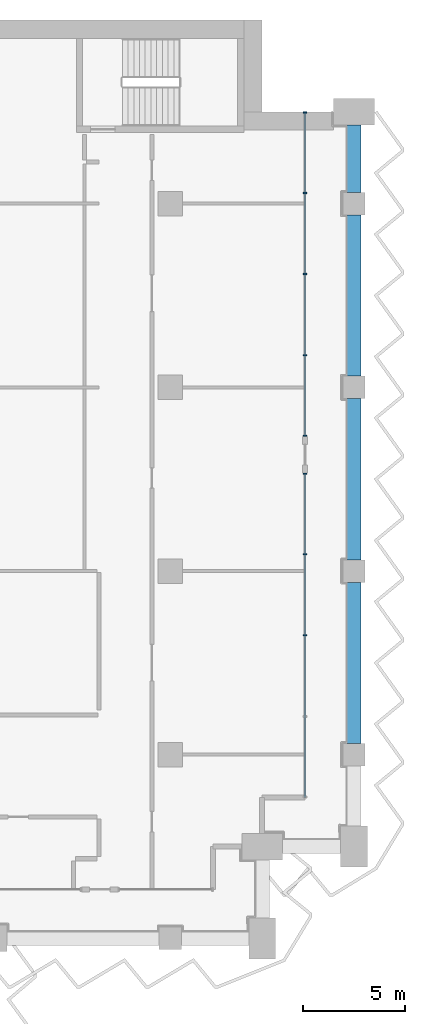
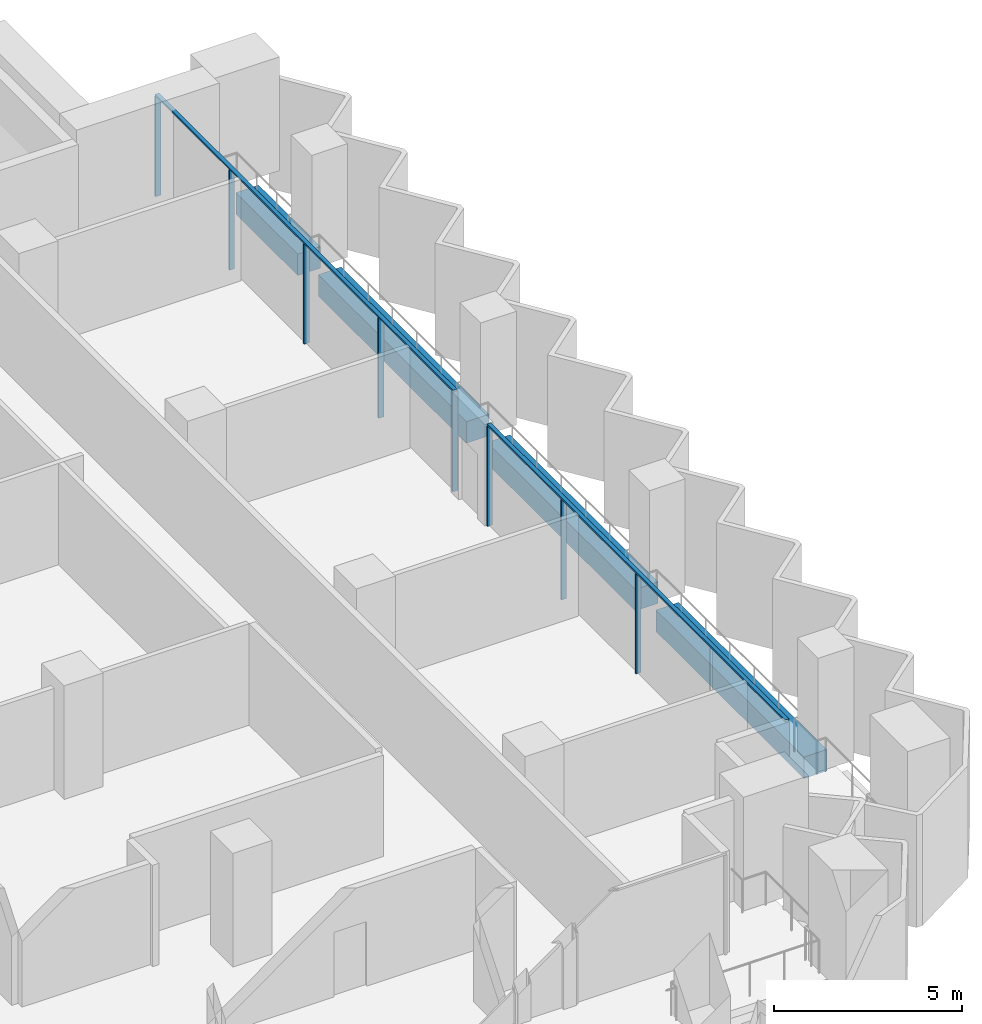
# One storey, part 5 of 22: 10 members, 4 beams, 2 elements without a shape of their own.
"""IFC4 building model written with IfcOpenShell, lengths in metres."""

from ifc_helpers import new_model, si_unit, direction, frame, origin, origin_2d, place, context, subcontext, project, spatial, rectangle, extrude, material, material_profile, profile_set, type_object, element, aggregate, save


model = new_model("IFC4")

# Units and contexts
model_context = context("Model", 3, precision=1e-05, world=origin(), true_north=direction((0.0, 1.0)))
body_context = subcontext(model_context, "Body", "Model", "MODEL_VIEW")
ifc_project = project(units=[si_unit("LENGTHUNIT", "METRE"), si_unit("AREAUNIT", "SQUARE_METRE"), si_unit("VOLUMEUNIT", "CUBIC_METRE"), si_unit("PLANEANGLEUNIT", "RADIAN"), si_unit("MASSUNIT", "GRAM", prefix="KILO")], contexts=[model_context])

# Site, building, storey
site_placement = place(None, origin())
site = spatial("IfcSite", under=ifc_project, at=site_placement, CompositionType="ELEMENT")
building_placement = place(site_placement, origin())
building = spatial("IfcBuilding", under=site, at=building_placement, Name="Hunhe Ridgeline Campus", CompositionType="ELEMENT")
storey_placement = place(building_placement, frame((0.0, 0.0, 156.0)))
storey = spatial("IfcBuildingStorey", under=building, at=storey_placement, Name="L39", CompositionType="ELEMENT", Elevation=156.0)

# Curtain wall, members
ifc_material_1 = material(Name="Aluminium 6063", Category="aluminium")
curtain_wall_type = type_object("IfcCurtainWallType", Name="Curtain wall CW-1", PredefinedType="NOTDEFINED", material=ifc_material_1)
curtain_wall_1_placement = place(storey_placement, origin())
curtain_wall_1 = element("IfcCurtainWall", 1, at=curtain_wall_1_placement, inside=storey, type_object=curtain_wall_type, Name="Curtain wall 15", PredefinedType="NOTDEFINED")
ifc_material_profile_1 = material_profile(ifc_material_1, rectangle(XDim=0.159912109375, YDim=0.06005859375, at=origin_2d()))
ifc_profile_set_1 = profile_set([ifc_material_profile_1], Name="Aluminium 6063")
member_type_1 = type_object("IfcMemberType", Name="CW-1 aluminium mullion", PredefinedType="MULLION", material=ifc_profile_set_1)
member_1_placement = place(storey_placement, frame((60.59912109375, 68.850830078125, 0.0), z_axis=(0.0, 0.0, 1.0), x_axis=(-1.0, 0.0, 0.0)))
member_1 = element("IfcMember", 2, at=member_1_placement, type_object=member_type_1, Name="CW-1 mullion 3", PredefinedType="MULLION", context=body_context, shape_type="SweptSolid", body=[
    extrude(rectangle(XDim=0.159912109375, YDim=0.06005859375, at=origin_2d()), origin(), (0.0, 0.0, 1.0), 3.239990234375),
])
member_2_placement = place(storey_placement, frame((60.59912109375, 72.82568359375, 0.0), z_axis=(0.0, 0.0, 1.0), x_axis=(-1.0, 0.0, 0.0)))
member_2 = element("IfcMember", 3, at=member_2_placement, type_object=member_type_1, Name="CW-1 mullion 4", PredefinedType="MULLION", context=body_context, shape_type="SweptSolid", body=[
    extrude(rectangle(XDim=0.159912109375, YDim=0.06005859375, at=origin_2d()), origin(), (0.0, 0.0, 1.0), 3.239990234375),
])
member_3_placement = place(storey_placement, frame((60.59912109375, 76.7705078125, 0.0), z_axis=(0.0, 0.0, 1.0), x_axis=(-1.0, 0.0, 0.0)))
member_3 = element("IfcMember", 4, at=member_3_placement, type_object=member_type_1, Name="CW-1 mullion 5", PredefinedType="MULLION", context=body_context, shape_type="SweptSolid", body=[
    extrude(rectangle(XDim=0.159912109375, YDim=0.06005859375, at=origin_2d()), origin(), (0.0, 0.0, 1.0), 3.239990234375),
])

curtain_wall_2_placement = place(storey_placement, origin())
curtain_wall_2 = element("IfcCurtainWall", 5, at=curtain_wall_2_placement, inside=storey, type_object=curtain_wall_type, Name="Curtain wall 16", PredefinedType="NOTDEFINED")
member_4_placement = place(storey_placement, frame((60.59912109375, 78.630615234375, 0.0), z_axis=(0.0, 0.0, 1.0), x_axis=(-1.0, 0.0, 0.0)))
member_4 = element("IfcMember", 6, at=member_4_placement, type_object=member_type_1, Name="CW-1 mullion 1", PredefinedType="MULLION", context=body_context, shape_type="SweptSolid", body=[
    extrude(rectangle(XDim=0.159912109375, YDim=0.06005859375, at=origin_2d()), origin(), (0.0, 0.0, 1.0), 3.239990234375),
])
member_5_placement = place(storey_placement, frame((60.59912109375, 82.575439453125, 0.0), z_axis=(0.0, 0.0, 1.0), x_axis=(-1.0, 0.0, 0.0)))
member_5 = element("IfcMember", 7, at=member_5_placement, type_object=member_type_1, Name="CW-1 mullion 2", PredefinedType="MULLION", context=body_context, shape_type="SweptSolid", body=[
    extrude(rectangle(XDim=0.159912109375, YDim=0.06005859375, at=origin_2d()), origin(), (0.0, 0.0, 1.0), 3.239990234375),
])
member_6_placement = place(storey_placement, frame((60.59912109375, 86.55029296875, 0.0), z_axis=(0.0, 0.0, 1.0), x_axis=(-1.0, 0.0, 0.0)))
member_6 = element("IfcMember", 8, at=member_6_placement, type_object=member_type_1, Name="CW-1 mullion 3", PredefinedType="MULLION", context=body_context, shape_type="SweptSolid", body=[
    extrude(rectangle(XDim=0.159912109375, YDim=0.06005859375, at=origin_2d()), origin(), (0.0, 0.0, 1.0), 3.239990234375),
])
member_7_placement = place(storey_placement, frame((60.59912109375, 90.525146484375, 0.0), z_axis=(0.0, 0.0, 1.0), x_axis=(-1.0, 0.0, 0.0)))
member_7 = element("IfcMember", 9, at=member_7_placement, type_object=member_type_1, Name="CW-1 mullion 4", PredefinedType="MULLION", context=body_context, shape_type="SweptSolid", body=[
    extrude(rectangle(XDim=0.159912109375, YDim=0.06005859375, at=origin_2d()), origin(), (0.0, 0.0, 1.0), 3.239990234375),
])
member_8_placement = place(storey_placement, frame((60.59912109375, 94.469970703125, 0.0), z_axis=(0.0, 0.0, 1.0), x_axis=(-1.0, 0.0, 0.0)))
member_8 = element("IfcMember", 10, at=member_8_placement, type_object=member_type_1, Name="CW-1 mullion 5", PredefinedType="MULLION", context=body_context, shape_type="SweptSolid", body=[
    extrude(rectangle(XDim=0.159912109375, YDim=0.06005859375, at=origin_2d()), origin(), (0.0, 0.0, 1.0), 3.239990234375),
])

# Member
ifc_material_profile_2 = material_profile(ifc_material_1, rectangle(XDim=0.1201171875, YDim=0.06005859375, at=origin_2d()))
ifc_profile_set_2 = profile_set([ifc_material_profile_2], Name="Aluminium 6063")
member_type_2 = type_object("IfcMemberType", Name="CW-1 aluminium transom", PredefinedType="USERDEFINED", material=ifc_profile_set_2)
member_9_placement = place(storey_placement, frame((60.59912109375, 60.90087890625, 3.27001953125), z_axis=(0.0, 1.0, 0.0), x_axis=(-1.0, 0.0, 0.0)))
member_9 = element("IfcMember", 11, at=member_9_placement, type_object=member_type_2, Name="CW-1 transom 1", ObjectType="TRANSOM", PredefinedType="USERDEFINED", context=body_context, shape_type="SweptSolid", body=[
    extrude(rectangle(XDim=0.1201171875, YDim=0.06005859375, at=origin_2d()), origin(), (0.0, 0.0, 1.0), 15.899658203125),
])

aggregate(curtain_wall_1, [member_9, member_1, member_2, member_3])

member_10_placement = place(storey_placement, frame((60.59912109375, 78.6005859375, 3.27001953125), z_axis=(0.0, 1.0, 0.0), x_axis=(-1.0, 0.0, 0.0)))
member_10 = element("IfcMember", 12, at=member_10_placement, type_object=member_type_2, Name="CW-1 transom 1", ObjectType="TRANSOM", PredefinedType="USERDEFINED", context=body_context, shape_type="SweptSolid", body=[
    extrude(rectangle(XDim=0.1201171875, YDim=0.06005859375, at=origin_2d()), origin(), (0.0, 0.0, 1.0), 15.8994140625),
])

aggregate(curtain_wall_2, [member_10, member_4, member_5, member_6, member_7, member_8])

# Beams
ifc_material_2 = material(Name="Concrete C60", Category="concrete")
ifc_material_profile_3 = material_profile(ifc_material_2, rectangle(XDim=0.699951171875, YDim=0.699951171875, at=origin_2d()))
ifc_profile_set_3 = profile_set([ifc_material_profile_3], Name="Concrete C60")
beam_type = type_object("IfcBeamType", Name="RC spandrel beam 700x700 Concrete C60", PredefinedType="SPANDREL", material=ifc_profile_set_3)
for number, where, z_axis, x_axis, name in (
    (13, (63.0, 63.550048828125, -0.60009765625), (0.0, 1.0, 0.0), (-1.0, 0.0, 0.0), "Spandrel beam B2-17 L39"),
    (14, (63.0, 72.550048828125, -0.60009765625), (0.0, 1.0, 0.0), (-1.0, 0.0, 0.0), "Spandrel beam B2-18 L39"),
    (15, (63.0, 81.550048828125, -0.60009765625), (0.0, 1.0, 0.0), (-1.0, 0.0, 0.0), "Spandrel beam B2-19 L39"),
):
    element("IfcBeam", number, at=place(storey_placement, frame(where, z_axis=z_axis, x_axis=x_axis)), inside=storey, type_object=beam_type, Name=name, PredefinedType="SPANDREL", context=body_context, shape_type="SweptSolid", body=[
        extrude(rectangle(XDim=0.699951171875, YDim=0.699951171875, at=origin_2d()), origin(), (0.0, 0.0, 1.0), 7.89990234375),
    ])
beam_placement = place(storey_placement, frame((63.0, 90.550048828125, -0.60009765625), z_axis=(0.0, 1.0, 0.0), x_axis=(-1.0, 0.0, 0.0)))
element("IfcBeam", 16, at=beam_placement, inside=storey, type_object=beam_type, Name="Spandrel beam B2-20 L39", PredefinedType="SPANDREL", context=body_context, shape_type="SweptSolid", body=[
    extrude(rectangle(XDim=0.699951171875, YDim=0.699951171875, at=origin_2d()), origin(), (0.0, 0.0, 1.0), 3.300048828125),
])

save(model, "model.ifc")
